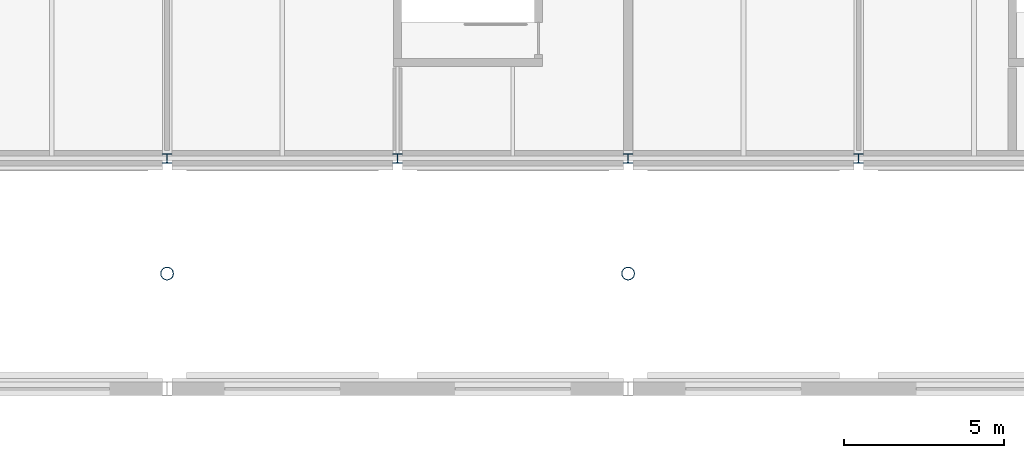
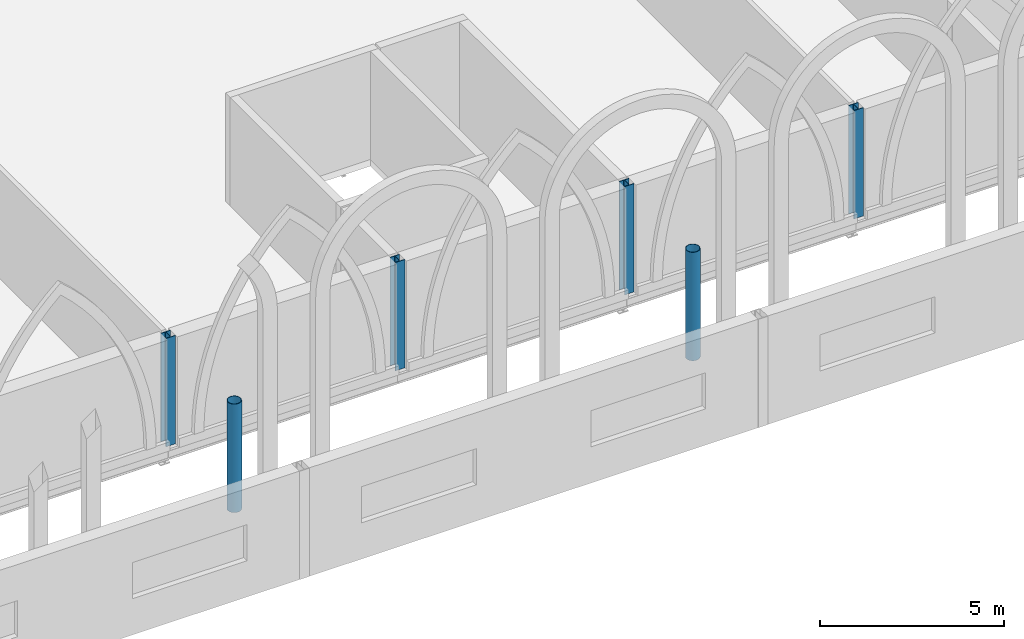
# One storey, part 25 of 143: 6 columns.
"""IFC4 building model written with IfcOpenShell, lengths in metres."""

from ifc_helpers import new_model, si_unit, direction, frame, origin, origin_2d, place, context, subcontext, project, spatial, hollow_circle, i_section, extrude, material, material_profile, profile_set, type_object, element, save


model = new_model("IFC4")

# Units and contexts
model_context = context("Model", 3, precision=1e-05, world=origin(), true_north=direction((0.0, 1.0)))
body_context = subcontext(model_context, "Body", "Model", "MODEL_VIEW")
ifc_project = project(units=[si_unit("LENGTHUNIT", "METRE"), si_unit("AREAUNIT", "SQUARE_METRE"), si_unit("VOLUMEUNIT", "CUBIC_METRE"), si_unit("PLANEANGLEUNIT", "RADIAN"), si_unit("MASSUNIT", "GRAM", prefix="KILO")], contexts=[model_context])

# Site, building, storey
site_placement = place(None, origin())
site = spatial("IfcSite", under=ifc_project, at=site_placement, CompositionType="ELEMENT")
building_placement = place(site_placement, origin())
building = spatial("IfcBuilding", under=site, at=building_placement, Name="Kupolbacken Congress Centre", CompositionType="ELEMENT")
storey_placement = place(building_placement, frame((0.0, 0.0, 7.199951171875)))
storey = spatial("IfcBuildingStorey", under=building, at=storey_placement, Name="L02", CompositionType="ELEMENT", Elevation=7.199951171875)

# Columns
ifc_material_1 = material(Name="Steel S355", Category="steel")
ifc_material_profile_1 = material_profile(ifc_material_1, i_section(OverallWidth=0.300048828125, OverallDepth=0.300048828125, WebThickness=0.010986328125, FlangeThickness=0.01904296875, FilletRadius=0.027099609375, at=origin_2d()), Name="HEB 300")
ifc_profile_set_1 = profile_set([ifc_material_profile_1], Name="Steel S355")
column_type_1 = type_object("IfcColumnType", Name="C06 column HEB 300", PredefinedType="COLUMN", material=ifc_profile_set_1)
for number, where, z_axis, x_axis, name in (
    (1, (165.60009765625, 122.39990234375, 0.0), (0.0, 0.0, 1.0), (1.0, 0.0, 0.0), "S/col/C-B-B3S/L02"),
    (2, (172.800048828125, 122.39990234375, 0.0), (0.0, 0.0, 1.0), (1.0, 0.0, 0.0), "S/col/C-B-B4S/L02"),
    (3, (180.0, 122.39990234375, 0.0), (0.0, 0.0, 1.0), (1.0, 0.0, 0.0), "S/col/C-B-B5S/L02"),
    (4, (187.199951171875, 122.39990234375, 0.0), (0.0, 0.0, 1.0), (1.0, 0.0, 0.0), "S/col/C-B-B6S/L02"),
):
    element("IfcColumn", number, at=place(storey_placement, frame(where, z_axis=z_axis, x_axis=x_axis)), inside=storey, type_object=column_type_1, Name=name, PredefinedType="COLUMN", context=body_context, shape_type="SweptSolid", body=[
        extrude(i_section(OverallWidth=0.300048828125, OverallDepth=0.300048828125, WebThickness=0.010986328125, FlangeThickness=0.01904296875, FilletRadius=0.027099609375, at=origin_2d()), origin(), (0.0, 0.0, 1.0), 3.60009765625),
    ])
ifc_material_2 = material(Name="Steel S355", Category="steel")
ifc_material_profile_2 = material_profile(ifc_material_2, hollow_circle(Radius=0.203125, WallThickness=0.01611328125, at=origin_2d()), Name="CHS 406.4 x 16")
ifc_profile_set_2 = profile_set([ifc_material_profile_2], Name="Steel S355")
column_type_2 = type_object("IfcColumnType", Name="C15 roof mast CHS 406.4 x 16", PredefinedType="COLUMN", material=ifc_profile_set_2)
for number, where, z_axis, x_axis, name in (
    (5, (165.60009765625, 118.800048828125, 0.0), (0.0, 0.0, 1.0), (1.0, 0.0, 0.0), "Roof mast M6N"),
    (6, (180.0, 118.800048828125, 0.0), (0.0, 0.0, 1.0), (1.0, 0.0, 0.0), "Roof mast M7N"),
):
    element("IfcColumn", number, at=place(storey_placement, frame(where, z_axis=z_axis, x_axis=x_axis)), inside=storey, type_object=column_type_2, Name=name, PredefinedType="COLUMN", context=body_context, shape_type="SweptSolid", body=[
        extrude(hollow_circle(Radius=0.203125, WallThickness=0.01611328125, at=origin_2d()), origin(), (0.0, 0.0, 1.0), 3.60009765625),
    ])

save(model, "model.ifc")
